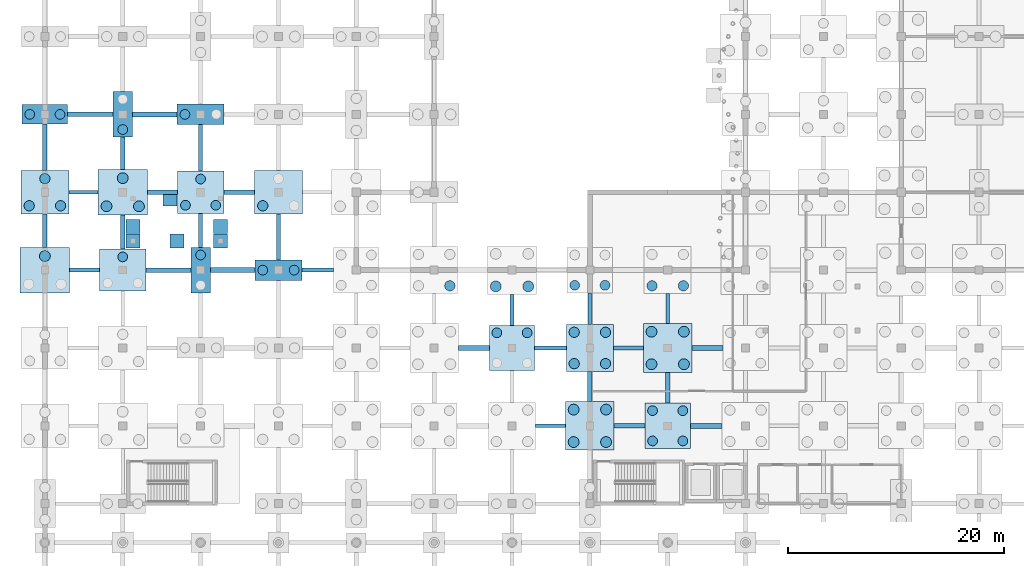
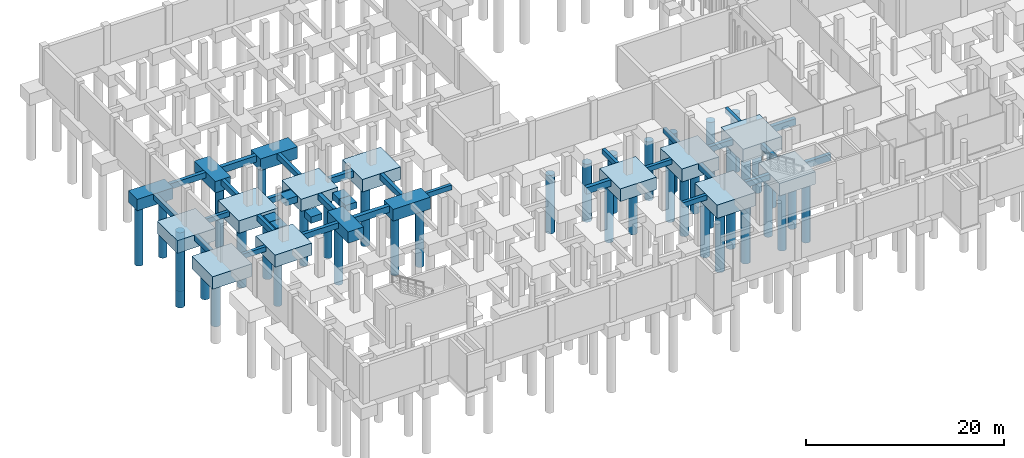
# One storey, part 3 of 35: 50 footings, 44 piles.
"""IFC4 building model written with IfcOpenShell, lengths in metres."""

from ifc_helpers import new_model, si_unit, direction, frame, origin, origin_2d, place, context, subcontext, project, spatial, rectangle, circle, extrude, material, material_profile, profile_set, type_object, element, save


model = new_model("IFC4")

# Units and contexts
model_context = context("Model", 3, precision=1e-05, world=origin(), true_north=direction((0.0, 1.0)))
body_context = subcontext(model_context, "Body", "Model", "MODEL_VIEW")
ifc_project = project(units=[si_unit("LENGTHUNIT", "METRE"), si_unit("AREAUNIT", "SQUARE_METRE"), si_unit("VOLUMEUNIT", "CUBIC_METRE"), si_unit("PLANEANGLEUNIT", "RADIAN"), si_unit("MASSUNIT", "GRAM", prefix="KILO"), si_unit("THERMODYNAMICTEMPERATUREUNIT", "KELVIN"), si_unit("POWERUNIT", "WATT")], contexts=[model_context])

# Site, building, storey
site_placement = place(None, origin())
site = spatial("IfcSite", under=ifc_project, at=site_placement, CompositionType="ELEMENT")
building_placement = place(site_placement, origin())
building = spatial("IfcBuilding", under=site, at=building_placement, Name="Kaldorven Railside Theatre", CompositionType="ELEMENT")
storey_placement = place(building_placement, frame((0.0, 0.0, -4.800048828125)))
storey = spatial("IfcBuildingStorey", under=building, at=storey_placement, Name="B1", CompositionType="ELEMENT", Elevation=-4.800048828125)

# Footings
ifc_material_1 = material(Name="Concrete C40/50", Category="concrete")
ifc_material_profile_1 = material_profile(ifc_material_1, rectangle(XDim=0.449951171875, YDim=0.800048828125, at=origin_2d()), Name="RC 450x800")
ifc_profile_set_1 = profile_set([ifc_material_profile_1], Name="Concrete C40/50")
footing_type_1 = type_object("IfcFootingType", Name="FTG-GB01", PredefinedType="FOOTING_BEAM", material=ifc_profile_set_1)
footing_1_placement = place(storey_placement, frame((67.699951171875, 26.39990234375, -0.39990234375), z_axis=(1.0, 0.0, 0.0), x_axis=(0.0, 1.0, 0.0)))
element("IfcFooting", 1, at=footing_1_placement, inside=storey, type_object=footing_type_1, Name="Foundation Tie Beam GB-099", PredefinedType="FOOTING_BEAM", context=body_context, shape_type="SweptSolid", body=[
    extrude(rectangle(XDim=0.449951171875, YDim=0.800048828125, at=origin_2d()), origin(), (0.0, 0.0, 1.0), 2.925048828125),
])
footing_2_placement = place(storey_placement, frame((46.25, 33.60009765625, -0.39990234375), z_axis=(1.0, 0.0, 0.0), x_axis=(0.0, 1.0, 0.0)))
element("IfcFooting", 2, at=footing_2_placement, inside=storey, type_object=footing_type_1, Name="Foundation Tie Beam GB-126", PredefinedType="FOOTING_BEAM", context=body_context, shape_type="SweptSolid", body=[
    extrude(rectangle(XDim=0.449951171875, YDim=0.800048828125, at=origin_2d()), origin(), (0.0, 0.0, 1.0), 2.85009765625),
])
footing_3_placement = place(storey_placement, frame((67.85009765625, 33.60009765625, -0.39990234375), z_axis=(1.0, 0.0, 0.0), x_axis=(0.0, 1.0, 0.0)))
element("IfcFooting", 3, at=footing_3_placement, inside=storey, type_object=footing_type_1, Name="Foundation Tie Beam GB-132", PredefinedType="FOOTING_BEAM", context=body_context, shape_type="SweptSolid", body=[
    extrude(rectangle(XDim=0.449951171875, YDim=0.800048828125, at=origin_2d()), origin(), (0.0, 0.0, 1.0), 2.849853515625),
])
footing_4_placement = place(storey_placement, frame((23.300048828125, 40.800048828125, -0.39990234375), z_axis=(1.0, 0.0, 0.0), x_axis=(0.0, 1.0, 0.0)))
element("IfcFooting", 4, at=footing_4_placement, inside=storey, type_object=footing_type_1, Name="Foundation Tie Beam GB-153", PredefinedType="FOOTING_BEAM", context=body_context, shape_type="SweptSolid", body=[
    extrude(rectangle(XDim=0.449951171875, YDim=0.800048828125, at=origin_2d()), origin(), (0.0, 0.0, 1.0), 4.125),
])
footing_5_placement = place(storey_placement, frame((24.550048828125, 48.0, -0.39990234375), z_axis=(1.0, 0.0, 0.0), x_axis=(0.0, 1.0, 0.0)))
element("IfcFooting", 5, at=footing_5_placement, inside=storey, type_object=footing_type_1, Name="Foundation Tie Beam GB-183", PredefinedType="FOOTING_BEAM", context=body_context, shape_type="SweptSolid", body=[
    extrude(rectangle(XDim=0.449951171875, YDim=0.800048828125, at=origin_2d()), origin(), (0.0, 0.0, 1.0), 2.824951171875),
])
footing_6_placement = place(storey_placement, frame((16.10009765625, 55.199951171875, -0.39990234375), z_axis=(1.0, 0.0, 0.0), x_axis=(0.0, 1.0, 0.0)))
element("IfcFooting", 6, at=footing_6_placement, inside=storey, type_object=footing_type_1, Name="Foundation Tie Beam GB-207", PredefinedType="FOOTING_BEAM", context=body_context, shape_type="SweptSolid", body=[
    extrude(rectangle(XDim=0.449951171875, YDim=0.800048828125, at=origin_2d()), origin(), (0.0, 0.0, 1.0), 4.125),
])
ifc_material_profile_2 = material_profile(ifc_material_1, rectangle(XDim=0.39990234375, YDim=0.699951171875, at=origin_2d()), Name="RC 400x700")
ifc_profile_set_2 = profile_set([ifc_material_profile_2], Name="Concrete C40/50")
footing_type_2 = type_object("IfcFootingType", Name="FTG-GB02", PredefinedType="FOOTING_BEAM", material=ifc_profile_set_2)
footing_7_placement = place(storey_placement, frame((60.64990234375, 26.39990234375, -0.349853515625), z_axis=(1.0, 0.0, 0.0), x_axis=(0.0, 1.0, 0.0)))
element("IfcFooting", 7, at=footing_7_placement, inside=storey, type_object=footing_type_2, Name="Foundation Tie Beam GB-097", PredefinedType="FOOTING_BEAM", context=body_context, shape_type="SweptSolid", body=[
    extrude(rectangle(XDim=0.39990234375, YDim=0.699951171875, at=origin_2d()), origin(), (0.0, 0.0, 1.0), 2.85009765625),
])
footing_8_placement = place(storey_placement, frame((58.39990234375, 28.64990234375, -0.349853515625), z_axis=(0.0, 1.0, 0.0), x_axis=(-1.0, 0.0, 0.0)))
element("IfcFooting", 8, at=footing_8_placement, inside=storey, type_object=footing_type_2, Name="Foundation Tie Beam GB-098", PredefinedType="FOOTING_BEAM", context=body_context, shape_type="SweptSolid", body=[
    extrude(rectangle(XDim=0.39990234375, YDim=0.699951171875, at=origin_2d()), origin(), (0.0, 0.0, 1.0), 2.775146484375),
])
footing_9_placement = place(storey_placement, frame((65.60009765625, 28.5, -0.349853515625), z_axis=(0.0, 1.0, 0.0), x_axis=(-1.0, 0.0, 0.0)))
element("IfcFooting", 9, at=footing_9_placement, inside=storey, type_object=footing_type_2, Name="Foundation Tie Beam GB-100", PredefinedType="FOOTING_BEAM", context=body_context, shape_type="SweptSolid", body=[
    extrude(rectangle(XDim=0.39990234375, YDim=0.699951171875, at=origin_2d()), origin(), (0.0, 0.0, 1.0), 2.85009765625),
])
footing_10_placement = place(storey_placement, frame((60.574951171875, 33.60009765625, -0.349853515625), z_axis=(1.0, 0.0, 0.0), x_axis=(0.0, 1.0, 0.0)))
element("IfcFooting", 10, at=footing_10_placement, inside=storey, type_object=footing_type_2, Name="Foundation Tie Beam GB-130", PredefinedType="FOOTING_BEAM", context=body_context, shape_type="SweptSolid", body=[
    extrude(rectangle(XDim=0.39990234375, YDim=0.699951171875, at=origin_2d()), origin(), (0.0, 0.0, 1.0), 2.775146484375),
])
footing_11_placement = place(storey_placement, frame((8.0, 42.89990234375, -0.349853515625), z_axis=(0.0, 1.0, 0.0), x_axis=(-1.0, 0.0, 0.0)))
element("IfcFooting", 11, at=footing_11_placement, inside=storey, type_object=footing_type_2, Name="Foundation Tie Beam GB-150", PredefinedType="FOOTING_BEAM", context=body_context, shape_type="SweptSolid", body=[
    extrude(rectangle(XDim=0.39990234375, YDim=0.699951171875, at=origin_2d()), origin(), (0.0, 0.0, 1.0), 3.0751953125),
])
footing_12_placement = place(storey_placement, frame((17.35009765625, 40.800048828125, -0.349853515625), z_axis=(1.0, 0.0, 0.0), x_axis=(0.0, 1.0, 0.0)))
element("IfcFooting", 12, at=footing_12_placement, inside=storey, type_object=footing_type_2, Name="Foundation Tie Beam GB-151", PredefinedType="FOOTING_BEAM", context=body_context, shape_type="SweptSolid", body=[
    extrude(rectangle(XDim=0.39990234375, YDim=0.699951171875, at=origin_2d()), origin(), (0.0, 0.0, 1.0), 4.14990234375),
])
footing_13_placement = place(storey_placement, frame((15.199951171875, 42.75, -0.349853515625), z_axis=(0.0, 1.0, 0.0), x_axis=(-1.0, 0.0, 0.0)))
element("IfcFooting", 13, at=footing_13_placement, inside=storey, type_object=footing_type_2, Name="Foundation Tie Beam GB-152", PredefinedType="FOOTING_BEAM", context=body_context, shape_type="SweptSolid", body=[
    extrude(rectangle(XDim=0.39990234375, YDim=0.699951171875, at=origin_2d()), origin(), (0.0, 0.0, 1.0), 3.14990234375),
])
footing_14_placement = place(storey_placement, frame((22.39990234375, 42.89990234375, -0.349853515625), z_axis=(0.0, 1.0, 0.0), x_axis=(-1.0, 0.0, 0.0)))
element("IfcFooting", 14, at=footing_14_placement, inside=storey, type_object=footing_type_2, Name="Foundation Tie Beam GB-154", PredefinedType="FOOTING_BEAM", context=body_context, shape_type="SweptSolid", body=[
    extrude(rectangle(XDim=0.39990234375, YDim=0.699951171875, at=origin_2d()), origin(), (0.0, 0.0, 1.0), 3.150146484375),
])
footing_15_placement = place(storey_placement, frame((29.60009765625, 41.75, -0.349853515625), z_axis=(0.0, 1.0, 0.0), x_axis=(-1.0, 0.0, 0.0)))
element("IfcFooting", 15, at=footing_15_placement, inside=storey, type_object=footing_type_2, Name="Foundation Tie Beam GB-156", PredefinedType="FOOTING_BEAM", context=body_context, shape_type="SweptSolid", body=[
    extrude(rectangle(XDim=0.39990234375, YDim=0.699951171875, at=origin_2d()), origin(), (0.0, 0.0, 1.0), 4.22509765625),
])
footing_16_placement = place(storey_placement, frame((8.0, 50.02490234375, -0.349853515625), z_axis=(0.0, 1.0, 0.0), x_axis=(-1.0, 0.0, 0.0)))
element("IfcFooting", 16, at=footing_16_placement, inside=storey, type_object=footing_type_2, Name="Foundation Tie Beam GB-180", PredefinedType="FOOTING_BEAM", context=body_context, shape_type="SweptSolid", body=[
    extrude(rectangle(XDim=0.39990234375, YDim=0.699951171875, at=origin_2d()), origin(), (0.0, 0.0, 1.0), 4.275146484375),
])
footing_17_placement = place(storey_placement, frame((17.5, 48.0, -0.349853515625), z_axis=(1.0, 0.0, 0.0), x_axis=(0.0, 1.0, 0.0)))
element("IfcFooting", 17, at=footing_17_placement, inside=storey, type_object=footing_type_2, Name="Foundation Tie Beam GB-181", PredefinedType="FOOTING_BEAM", context=body_context, shape_type="SweptSolid", body=[
    extrude(rectangle(XDim=0.39990234375, YDim=0.699951171875, at=origin_2d()), origin(), (0.0, 0.0, 1.0), 2.75),
])
footing_18_placement = place(storey_placement, frame((15.199951171875, 50.10009765625, -0.349853515625), z_axis=(0.0, 1.0, 0.0), x_axis=(-1.0, 0.0, 0.0)))
element("IfcFooting", 18, at=footing_18_placement, inside=storey, type_object=footing_type_2, Name="Foundation Tie Beam GB-182", PredefinedType="FOOTING_BEAM", context=body_context, shape_type="SweptSolid", body=[
    extrude(rectangle(XDim=0.39990234375, YDim=0.699951171875, at=origin_2d()), origin(), (0.0, 0.0, 1.0), 3.0),
])
footing_19_placement = place(storey_placement, frame((22.39990234375, 49.949951171875, -0.349853515625), z_axis=(0.0, 1.0, 0.0), x_axis=(-1.0, 0.0, 0.0)))
element("IfcFooting", 19, at=footing_19_placement, inside=storey, type_object=footing_type_2, Name="Foundation Tie Beam GB-184", PredefinedType="FOOTING_BEAM", context=body_context, shape_type="SweptSolid", body=[
    extrude(rectangle(XDim=0.39990234375, YDim=0.699951171875, at=origin_2d()), origin(), (0.0, 0.0, 1.0), 4.300048828125),
])
footing_20_placement = place(storey_placement, frame((10.10009765625, 55.199951171875, -0.349853515625), z_axis=(1.0, 0.0, 0.0), x_axis=(0.0, 1.0, 0.0)))
element("IfcFooting", 20, at=footing_20_placement, inside=storey, type_object=footing_type_2, Name="Foundation Tie Beam GB-205", PredefinedType="FOOTING_BEAM", context=body_context, shape_type="SweptSolid", body=[
    extrude(rectangle(XDim=0.39990234375, YDim=0.699951171875, at=origin_2d()), origin(), (0.0, 0.0, 1.0), 4.199951171875),
])
ifc_material_profile_3 = material_profile(ifc_material_1, rectangle(XDim=0.35009765625, YDim=0.60009765625, at=origin_2d()), Name="RC 350x600")
ifc_profile_set_3 = profile_set([ifc_material_profile_3], Name="Concrete C40/50")
footing_type_3 = type_object("IfcFootingType", Name="FTG-GB03", PredefinedType="FOOTING_BEAM", material=ifc_profile_set_3)
footing_21_placement = place(storey_placement, frame((53.375, 26.39990234375, -0.300048828125), z_axis=(1.0, 0.0, 0.0), x_axis=(0.0, 1.0, 0.0)))
element("IfcFooting", 21, at=footing_21_placement, inside=storey, type_object=footing_type_3, Name="Foundation Tie Beam GB-095", PredefinedType="FOOTING_BEAM", context=body_context, shape_type="SweptSolid", body=[
    extrude(rectangle(XDim=0.35009765625, YDim=0.60009765625, at=origin_2d()), origin(), (0.0, 0.0, 1.0), 2.77490234375),
])
footing_22_placement = place(storey_placement, frame((53.300048828125, 33.60009765625, -0.300048828125), z_axis=(1.0, 0.0, 0.0), x_axis=(0.0, 1.0, 0.0)))
element("IfcFooting", 22, at=footing_22_placement, inside=storey, type_object=footing_type_3, Name="Foundation Tie Beam GB-128", PredefinedType="FOOTING_BEAM", context=body_context, shape_type="SweptSolid", body=[
    extrude(rectangle(XDim=0.35009765625, YDim=0.60009765625, at=origin_2d()), origin(), (0.0, 0.0, 1.0), 2.925048828125),
])
footing_23_placement = place(storey_placement, frame((51.199951171875, 35.699951171875, -0.300048828125), z_axis=(0.0, 1.0, 0.0), x_axis=(-1.0, 0.0, 0.0)))
element("IfcFooting", 23, at=footing_23_placement, inside=storey, type_object=footing_type_3, Name="Foundation Tie Beam GB-129", PredefinedType="FOOTING_BEAM", context=body_context, shape_type="SweptSolid", body=[
    extrude(rectangle(XDim=0.35009765625, YDim=0.60009765625, at=origin_2d()), origin(), (0.0, 0.0, 1.0), 2.85009765625),
])
footing_24_placement = place(storey_placement, frame((58.39990234375, 35.77490234375, -0.300048828125), z_axis=(0.0, 1.0, 0.0), x_axis=(-1.0, 0.0, 0.0)))
element("IfcFooting", 24, at=footing_24_placement, inside=storey, type_object=footing_type_3, Name="Foundation Tie Beam GB-131", PredefinedType="FOOTING_BEAM", context=body_context, shape_type="SweptSolid", body=[
    extrude(rectangle(XDim=0.35009765625, YDim=0.60009765625, at=origin_2d()), origin(), (0.0, 0.0, 1.0), 2.925048828125),
])
footing_25_placement = place(storey_placement, frame((65.60009765625, 35.85009765625, -0.300048828125), z_axis=(0.0, 1.0, 0.0), x_axis=(-1.0, 0.0, 0.0)))
element("IfcFooting", 25, at=footing_25_placement, inside=storey, type_object=footing_type_3, Name="Foundation Tie Beam GB-133", PredefinedType="FOOTING_BEAM", context=body_context, shape_type="SweptSolid", body=[
    extrude(rectangle(XDim=0.35009765625, YDim=0.60009765625, at=origin_2d()), origin(), (0.0, 0.0, 1.0), 2.77490234375),
])
footing_26_placement = place(storey_placement, frame((10.300048828125, 40.800048828125, -0.300048828125), z_axis=(1.0, 0.0, 0.0), x_axis=(0.0, 1.0, 0.0)))
element("IfcFooting", 26, at=footing_26_placement, inside=storey, type_object=footing_type_3, Name="Foundation Tie Beam GB-149", PredefinedType="FOOTING_BEAM", context=body_context, shape_type="SweptSolid", body=[
    extrude(rectangle(XDim=0.35009765625, YDim=0.60009765625, at=origin_2d()), origin(), (0.0, 0.0, 1.0), 2.75),
])
footing_27_placement = place(storey_placement, frame((31.77490234375, 40.800048828125, -0.300048828125), z_axis=(1.0, 0.0, 0.0), x_axis=(0.0, 1.0, 0.0)))
element("IfcFooting", 27, at=footing_27_placement, inside=storey, type_object=footing_type_3, Name="Foundation Tie Beam GB-155", PredefinedType="FOOTING_BEAM", context=body_context, shape_type="SweptSolid", body=[
    extrude(rectangle(XDim=0.35009765625, YDim=0.60009765625, at=origin_2d()), origin(), (0.0, 0.0, 1.0), 2.925048828125),
])
footing_28_placement = place(storey_placement, frame((10.22509765625, 48.0, -0.300048828125), z_axis=(1.0, 0.0, 0.0), x_axis=(0.0, 1.0, 0.0)))
element("IfcFooting", 28, at=footing_28_placement, inside=storey, type_object=footing_type_3, Name="Foundation Tie Beam GB-179", PredefinedType="FOOTING_BEAM", context=body_context, shape_type="SweptSolid", body=[
    extrude(rectangle(XDim=0.35009765625, YDim=0.60009765625, at=origin_2d()), origin(), (0.0, 0.0, 1.0), 2.6748046875),
])
footing_type_4 = type_object("IfcFootingType", Name="FTG-PC03", PredefinedType="PILE_CAP", material=ifc_material_1)
footing_29_placement = place(storey_placement, frame((8.0, 55.199951171875, -1.39990234375), z_axis=(0.0, 0.0, 1.0), x_axis=(1.0, 0.0, 0.0)))
element("IfcFooting", 29, at=footing_29_placement, inside=storey, type_object=footing_type_4, Name="Reinforced Concrete Pile Cap FC-114", PredefinedType="PILE_CAP", context=body_context, shape_type="SweptSolid", body=[
    extrude(rectangle(XDim=4.199951171875, YDim=1.800048828125, at=origin_2d()), origin(), (0.0, 0.0, 1.0), 1.39990234375),
])
footing_type_5 = type_object("IfcFootingType", Name="FTG-PC04", PredefinedType="PILE_CAP", material=ifc_material_1)
for number, where, z_axis, x_axis, name in (
    (30, (22.39990234375, 40.800048828125, -1.39990234375), (0.0, 0.0, 1.0), (1.0, 0.0, 0.0), "Reinforced Concrete Pile Cap FC-085"),
    (31, (15.199951171875, 55.199951171875, -1.39990234375), (0.0, 0.0, 1.0), (1.0, 0.0, 0.0), "Reinforced Concrete Pile Cap FC-115"),
):
    element("IfcFooting", number, at=place(storey_placement, frame(where, z_axis=z_axis, x_axis=x_axis)), inside=storey, type_object=footing_type_5, Name=name, PredefinedType="PILE_CAP", context=body_context, shape_type="SweptSolid", body=[
        extrude(rectangle(XDim=1.800048828125, YDim=4.199951171875, at=origin_2d()), origin(), (0.0, 0.0, 1.0), 1.39990234375),
    ])
footing_type_6 = type_object("IfcFootingType", Name="FTG-PC05", PredefinedType="PILE_CAP", material=ifc_material_1)
for number, where, z_axis, x_axis, name in (
    (32, (29.60009765625, 40.800048828125, -1.44970703125), (0.0, 0.0, 1.0), (1.0, 0.0, 0.0), "Reinforced Concrete Pile Cap FC-086"),
    (33, (22.39990234375, 55.199951171875, -1.44970703125), (0.0, 0.0, 1.0), (1.0, 0.0, 0.0), "Reinforced Concrete Pile Cap FC-116"),
):
    element("IfcFooting", number, at=place(storey_placement, frame(where, z_axis=z_axis, x_axis=x_axis)), inside=storey, type_object=footing_type_6, Name=name, PredefinedType="PILE_CAP", context=body_context, shape_type="SweptSolid", body=[
        extrude(rectangle(XDim=4.35009765625, YDim=1.89990234375, at=origin_2d()), origin(), (0.0, 0.0, 1.0), 1.449951171875),
    ])
footing_type_7 = type_object("IfcFootingType", Name="FTG-PC09", PredefinedType="PILE_CAP", material=ifc_material_1)
for number, where, z_axis, x_axis, name in (
    (34, (15.199951171875, 40.800048828125, -1.5), (0.0, 0.0, 1.0), (1.0, 0.0, 0.0), "Reinforced Concrete Pile Cap FC-084"),
    (35, (22.39990234375, 48.0, -1.5), (0.0, 0.0, 1.0), (1.0, 0.0, 0.0), "Reinforced Concrete Pile Cap FC-102"),
):
    element("IfcFooting", number, at=place(storey_placement, frame(where, z_axis=z_axis, x_axis=x_axis)), inside=storey, type_object=footing_type_7, Name=name, PredefinedType="PILE_CAP", context=body_context, shape_type="SweptSolid", body=[
        extrude(rectangle(XDim=4.300048828125, YDim=3.89990234375, at=origin_2d()), origin(), (0.0, 0.0, 1.0), 1.5),
    ])
footing_type_8 = type_object("IfcFootingType", Name="FTG-PC10", PredefinedType="PILE_CAP", material=ifc_material_1)
for number, where, z_axis, x_axis, name in (
    (36, (8.0, 48.0, -1.5498046875), (0.0, 0.0, 1.0), (1.0, 0.0, 0.0), "Reinforced Concrete Pile Cap FC-100"),
    (37, (29.60009765625, 48.0, -1.5498046875), (0.0, 0.0, 1.0), (1.0, 0.0, 0.0), "Reinforced Concrete Pile Cap FC-103"),
):
    element("IfcFooting", number, at=place(storey_placement, frame(where, z_axis=z_axis, x_axis=x_axis)), inside=storey, type_object=footing_type_8, Name=name, PredefinedType="PILE_CAP", context=body_context, shape_type="SweptSolid", body=[
        extrude(rectangle(XDim=4.449951171875, YDim=4.050048828125, at=origin_2d()), origin(), (0.0, 0.0, 1.0), 1.550048828125),
    ])
footing_type_9 = type_object("IfcFootingType", Name="FTG-PC11", PredefinedType="PILE_CAP", material=ifc_material_1)
for number, where, z_axis, x_axis, name in (
    (38, (8.0, 40.800048828125, -1.5498046875), (0.0, 0.0, 1.0), (1.0, 0.0, 0.0), "Reinforced Concrete Pile Cap FC-083"),
    (39, (15.199951171875, 48.0, -1.5498046875), (0.0, 0.0, 1.0), (1.0, 0.0, 0.0), "Reinforced Concrete Pile Cap FC-101"),
):
    element("IfcFooting", number, at=place(storey_placement, frame(where, z_axis=z_axis, x_axis=x_axis)), inside=storey, type_object=footing_type_9, Name=name, PredefinedType="PILE_CAP", context=body_context, shape_type="SweptSolid", body=[
        extrude(rectangle(XDim=4.60009765625, YDim=4.199951171875, at=origin_2d()), origin(), (0.0, 0.0, 1.0), 1.550048828125),
    ])
footing_type_10 = type_object("IfcFootingType", Name="FTG-PC12", PredefinedType="PILE_CAP", material=ifc_material_1)
for number, where, z_axis, x_axis, name in (
    (40, (65.60009765625, 26.39990234375, -1.5498046875), (0.0, 0.0, 1.0), (1.0, 0.0, 0.0), "Reinforced Concrete Pile Cap FC-057"),
    (41, (51.199951171875, 33.60009765625, -1.5498046875), (0.0, 0.0, 1.0), (1.0, 0.0, 0.0), "Reinforced Concrete Pile Cap FC-072"),
):
    element("IfcFooting", number, at=place(storey_placement, frame(where, z_axis=z_axis, x_axis=x_axis)), inside=storey, type_object=footing_type_10, Name=name, PredefinedType="PILE_CAP", context=body_context, shape_type="SweptSolid", body=[
        extrude(rectangle(XDim=4.199951171875, YDim=4.199951171875, at=origin_2d()), origin(), (0.0, 0.0, 1.0), 1.550048828125),
    ])
footing_type_11 = type_object("IfcFootingType", Name="FTG-PC13", PredefinedType="PILE_CAP", material=ifc_material_1)
footing_30_placement = place(storey_placement, frame((58.39990234375, 33.60009765625, -1.60009765625), z_axis=(0.0, 0.0, 1.0), x_axis=(1.0, 0.0, 0.0)))
element("IfcFooting", 42, at=footing_30_placement, inside=storey, type_object=footing_type_11, Name="Reinforced Concrete Pile Cap FC-073", PredefinedType="PILE_CAP", context=body_context, shape_type="SweptSolid", body=[
    extrude(rectangle(XDim=4.35009765625, YDim=4.35009765625, at=origin_2d()), origin(), (0.0, 0.0, 1.0), 1.60009765625),
])
footing_type_12 = type_object("IfcFootingType", Name="FTG-PC14", PredefinedType="PILE_CAP", material=ifc_material_1)
for number, where, z_axis, x_axis, name in (
    (43, (58.39990234375, 26.39990234375, -1.64990234375), (0.0, 0.0, 1.0), (1.0, 0.0, 0.0), "Reinforced Concrete Pile Cap FC-056"),
    (44, (65.60009765625, 33.60009765625, -1.64990234375), (0.0, 0.0, 1.0), (1.0, 0.0, 0.0), "Reinforced Concrete Pile Cap FC-074"),
):
    element("IfcFooting", number, at=place(storey_placement, frame(where, z_axis=z_axis, x_axis=x_axis)), inside=storey, type_object=footing_type_12, Name=name, PredefinedType="PILE_CAP", context=body_context, shape_type="SweptSolid", body=[
        extrude(rectangle(XDim=4.5, YDim=4.5, at=origin_2d()), origin(), (0.0, 0.0, 1.0), 1.64990234375),
    ])
footing_type_13 = type_object("IfcFootingType", Name="FTG-SF01", PredefinedType="PAD_FOOTING", material=ifc_material_1)
for number, where, z_axis, x_axis, name in (
    (45, (16.14990234375, 43.5, -0.7998046875), (0.0, 0.0, 1.0), (1.0, 0.0, 0.0), "Core ST-02 Foundation Pad SF-002"),
    (46, (24.25, 43.5, -0.7998046875), (0.0, 0.0, 1.0), (1.0, 0.0, 0.0), "Core ST-02 Foundation Pad SF-003"),
    (47, (20.199951171875, 43.5, -0.7998046875), (0.0, 0.0, 1.0), (1.0, 0.0, 0.0), "Core ST-02 Foundation Pad SF-004"),
    (48, (19.570068359375, 47.39990234375, -0.7998046875), (0.0, 0.0, 1.0), (1.0, 0.0, 0.0), "Core ST-02 Foundation Pad SF-005"),
    (49, (16.14990234375, 44.820068359375, -0.7998046875), (0.0, 0.0, 1.0), (1.0, 0.0, 0.0), "Core ST-02 Foundation Pad SF-006"),
    (50, (24.25, 44.820068359375, -0.7998046875), (0.0, 0.0, 1.0), (1.0, 0.0, 0.0), "Core ST-02 Foundation Pad SF-007"),
):
    element("IfcFooting", number, at=place(storey_placement, frame(where, z_axis=z_axis, x_axis=x_axis)), inside=storey, type_object=footing_type_13, Name=name, PredefinedType="PAD_FOOTING", context=body_context, shape_type="SweptSolid", body=[
        extrude(rectangle(XDim=1.300048828125, YDim=1.300048828125, at=origin_2d()), origin(), (0.0, 0.0, 1.0), 0.800048828125),
    ])

# Piles
ifc_material_2 = material(Name="Concrete C35/45", Category="concrete")
ifc_material_profile_4 = material_profile(ifc_material_2, circle(Radius=0.5, at=origin_2d()), Name="BP D1000")
ifc_profile_set_4 = profile_set([ifc_material_profile_4], Name="Concrete C35/45")
pile_type_1 = type_object("IfcPileType", Name="PIL-D1000", PredefinedType="BORED", material=ifc_profile_set_4)
for number, where, z_axis, x_axis, name in (
    (51, (56.89990234375, 24.89990234375, -1.550048828125), (0.0, 0.0, -1.0), (1.0, 0.0, 0.0), "Bored Bedrock Socket Pile BP-058-026-1"),
    (52, (59.89990234375, 24.89990234375, -1.550048828125), (0.0, 0.0, -1.0), (1.0, 0.0, 0.0), "Bored Bedrock Socket Pile BP-058-026-2"),
    (53, (56.89990234375, 27.89990234375, -1.550048828125), (0.0, 0.0, -1.0), (1.0, 0.0, 0.0), "Bored Bedrock Socket Pile BP-058-026-3"),
    (54, (59.89990234375, 27.89990234375, -1.550048828125), (0.0, 0.0, -1.0), (1.0, 0.0, 0.0), "Bored Bedrock Socket Pile BP-058-026-4"),
    (55, (64.10009765625, 32.10009765625, -1.550048828125), (0.0, 0.0, -1.0), (1.0, 0.0, 0.0), "Bored Bedrock Socket Pile BP-065-033-1"),
    (56, (67.10009765625, 32.10009765625, -1.550048828125), (0.0, 0.0, -1.0), (1.0, 0.0, 0.0), "Bored Bedrock Socket Pile BP-065-033-2"),
    (57, (64.10009765625, 35.10009765625, -1.550048828125), (0.0, 0.0, -1.0), (1.0, 0.0, 0.0), "Bored Bedrock Socket Pile BP-065-033-3"),
    (58, (67.10009765625, 35.10009765625, -1.550048828125), (0.0, 0.0, -1.0), (1.0, 0.0, 0.0), "Bored Bedrock Socket Pile BP-065-033-4"),
):
    element("IfcPile", number, at=place(storey_placement, frame(where, z_axis=z_axis, x_axis=x_axis)), inside=storey, type_object=pile_type_1, Name=name, PredefinedType="BORED", context=body_context, shape_type="SweptSolid", body=[
        extrude(circle(Radius=0.5, at=origin_2d()), origin(), (0.0, 0.0, 1.0), 7.14990234375),
    ])
pile_1_placement = place(storey_placement, frame((8.0, 42.10009765625, -1.449951171875), z_axis=(0.0, 0.0, -1.0), x_axis=(1.0, 0.0, 0.0)))
element("IfcPile", 59, at=pile_1_placement, inside=storey, type_object=pile_type_1, Name="Bored Bedrock Socket Pile BP-008-040-3", PredefinedType="BORED", context=body_context, shape_type="SweptSolid", body=[
    extrude(circle(Radius=0.5, at=origin_2d()), origin(), (0.0, 0.0, 1.0), 7.25),
])
for number, where, z_axis, x_axis, name in (
    (60, (49.699951171875, 39.300048828125, -1.550048828125), (0.0, 0.0, -1.0), (1.0, 0.0, 0.0), "Bored Bedrock Socket Pile BP-051-040-1"),
    (61, (52.699951171875, 39.300048828125, -1.550048828125), (0.0, 0.0, -1.0), (1.0, 0.0, 0.0), "Bored Bedrock Socket Pile BP-051-040-2"),
):
    element("IfcPile", number, at=place(storey_placement, frame(where, z_axis=z_axis, x_axis=x_axis)), inside=storey, type_object=pile_type_1, Name=name, PredefinedType="BORED", context=body_context, shape_type="SweptSolid", body=[
        extrude(circle(Radius=0.5, at=origin_2d()), origin(), (0.0, 0.0, 1.0), 7.14990234375),
    ])
for number, where, z_axis, x_axis, name in (
    (62, (13.699951171875, 46.699951171875, -1.449951171875), (0.0, 0.0, -1.0), (1.0, 0.0, 0.0), "Bored Bedrock Socket Pile BP-015-048-1"),
    (63, (16.699951171875, 46.699951171875, -1.449951171875), (0.0, 0.0, -1.0), (1.0, 0.0, 0.0), "Bored Bedrock Socket Pile BP-015-048-2"),
    (64, (15.199951171875, 49.300048828125, -1.449951171875), (0.0, 0.0, -1.0), (1.0, 0.0, 0.0), "Bored Bedrock Socket Pile BP-015-048-3"),
):
    element("IfcPile", number, at=place(storey_placement, frame(where, z_axis=z_axis, x_axis=x_axis)), inside=storey, type_object=pile_type_1, Name=name, PredefinedType="BORED", context=body_context, shape_type="SweptSolid", body=[
        extrude(circle(Radius=0.5, at=origin_2d()), origin(), (0.0, 0.0, 1.0), 7.25),
    ])
ifc_material_profile_5 = material_profile(ifc_material_2, circle(Radius=0.449951171875, at=origin_2d()), Name="BP D900")
ifc_profile_set_5 = profile_set([ifc_material_profile_5], Name="Concrete C35/45")
pile_type_2 = type_object("IfcPileType", Name="PIL-D900", PredefinedType="BORED", material=ifc_profile_set_5)
for number, where, z_axis, x_axis, name in (
    (65, (64.199951171875, 25.0, -1.449951171875), (0.0, 0.0, -1.0), (1.0, 0.0, 0.0), "Bored Bedrock Socket Pile BP-065-026-1"),
    (66, (67.0, 25.0, -1.449951171875), (0.0, 0.0, -1.0), (1.0, 0.0, 0.0), "Bored Bedrock Socket Pile BP-065-026-2"),
    (67, (64.199951171875, 27.800048828125, -1.449951171875), (0.0, 0.0, -1.0), (1.0, 0.0, 0.0), "Bored Bedrock Socket Pile BP-065-026-3"),
    (68, (67.0, 27.800048828125, -1.449951171875), (0.0, 0.0, -1.0), (1.0, 0.0, 0.0), "Bored Bedrock Socket Pile BP-065-026-4"),
    (69, (49.800048828125, 35.0, -1.449951171875), (0.0, 0.0, -1.0), (1.0, 0.0, 0.0), "Bored Bedrock Socket Pile BP-051-033-3"),
    (70, (52.60009765625, 35.0, -1.449951171875), (0.0, 0.0, -1.0), (1.0, 0.0, 0.0), "Bored Bedrock Socket Pile BP-051-033-4"),
):
    element("IfcPile", number, at=place(storey_placement, frame(where, z_axis=z_axis, x_axis=x_axis)), inside=storey, type_object=pile_type_2, Name=name, PredefinedType="BORED", context=body_context, shape_type="SweptSolid", body=[
        extrude(circle(Radius=0.449951171875, at=origin_2d()), origin(), (0.0, 0.0, 1.0), 7.25),
    ])
pile_2_placement = place(storey_placement, frame((15.199951171875, 42.02001953125, -1.39990234375), z_axis=(0.0, 0.0, -1.0), x_axis=(1.0, 0.0, 0.0)))
element("IfcPile", 71, at=pile_2_placement, inside=storey, type_object=pile_type_2, Name="Bored Bedrock Socket Pile BP-015-040-3", PredefinedType="BORED", context=body_context, shape_type="SweptSolid", body=[
    extrude(circle(Radius=0.449951171875, at=origin_2d()), origin(), (0.0, 0.0, 1.0), 7.300048828125),
])
pile_3_placement = place(storey_placement, frame((22.39990234375, 42.199951171875, -1.300048828125), z_axis=(0.0, 0.0, -1.0), x_axis=(1.0, 0.0, 0.0)))
element("IfcPile", 72, at=pile_3_placement, inside=storey, type_object=pile_type_2, Name="Bored Bedrock Socket Pile BP-022-040-2", PredefinedType="BORED", context=body_context, shape_type="SweptSolid", body=[
    extrude(circle(Radius=0.449951171875, at=origin_2d()), origin(), (0.0, 0.0, 1.0), 7.39990234375),
])
for number, where, z_axis, x_axis, name in (
    (73, (28.14990234375, 40.800048828125, -1.349853515625), (0.0, 0.0, -1.0), (1.0, 0.0, 0.0), "Bored Bedrock Socket Pile BP-029-040-1"),
    (74, (31.050048828125, 40.800048828125, -1.349853515625), (0.0, 0.0, -1.0), (1.0, 0.0, 0.0), "Bored Bedrock Socket Pile BP-029-040-2"),
):
    element("IfcPile", number, at=place(storey_placement, frame(where, z_axis=z_axis, x_axis=x_axis)), inside=storey, type_object=pile_type_2, Name=name, PredefinedType="BORED", context=body_context, shape_type="SweptSolid", body=[
        extrude(circle(Radius=0.449951171875, at=origin_2d()), origin(), (0.0, 0.0, 1.0), 7.35009765625),
    ])
for number, where, z_axis, x_axis, name in (
    (75, (57.0, 39.39990234375, -1.449951171875), (0.0, 0.0, -1.0), (1.0, 0.0, 0.0), "Bored Bedrock Socket Pile BP-058-040-1"),
    (76, (59.800048828125, 39.39990234375, -1.449951171875), (0.0, 0.0, -1.0), (1.0, 0.0, 0.0), "Bored Bedrock Socket Pile BP-058-040-2"),
):
    element("IfcPile", number, at=place(storey_placement, frame(where, z_axis=z_axis, x_axis=x_axis)), inside=storey, type_object=pile_type_2, Name=name, PredefinedType="BORED", context=body_context, shape_type="SweptSolid", body=[
        extrude(circle(Radius=0.449951171875, at=origin_2d()), origin(), (0.0, 0.0, 1.0), 7.25),
    ])
for number, where, z_axis, x_axis, name in (
    (77, (21.0, 46.800048828125, -1.39990234375), (0.0, 0.0, -1.0), (1.0, 0.0, 0.0), "Bored Bedrock Socket Pile BP-022-048-1"),
    (78, (23.800048828125, 46.800048828125, -1.39990234375), (0.0, 0.0, -1.0), (1.0, 0.0, 0.0), "Bored Bedrock Socket Pile BP-022-048-2"),
    (79, (22.39990234375, 49.219970703125, -1.39990234375), (0.0, 0.0, -1.0), (1.0, 0.0, 0.0), "Bored Bedrock Socket Pile BP-022-048-3"),
):
    element("IfcPile", number, at=place(storey_placement, frame(where, z_axis=z_axis, x_axis=x_axis)), inside=storey, type_object=pile_type_2, Name=name, PredefinedType="BORED", context=body_context, shape_type="SweptSolid", body=[
        extrude(circle(Radius=0.449951171875, at=origin_2d()), origin(), (0.0, 0.0, 1.0), 7.300048828125),
    ])
for number, where, z_axis, x_axis, name in (
    (80, (6.60009765625, 55.199951171875, -1.300048828125), (0.0, 0.0, -1.0), (1.0, 0.0, 0.0), "Bored Bedrock Socket Pile BP-008-055-1"),
    (81, (9.39990234375, 55.199951171875, -1.300048828125), (0.0, 0.0, -1.0), (1.0, 0.0, 0.0), "Bored Bedrock Socket Pile BP-008-055-2"),
    (82, (15.199951171875, 53.800048828125, -1.300048828125), (0.0, 0.0, -1.0), (1.0, 0.0, 0.0), "Bored Bedrock Socket Pile BP-015-055-1"),
):
    element("IfcPile", number, at=place(storey_placement, frame(where, z_axis=z_axis, x_axis=x_axis)), inside=storey, type_object=pile_type_2, Name=name, PredefinedType="BORED", context=body_context, shape_type="SweptSolid", body=[
        extrude(circle(Radius=0.449951171875, at=origin_2d()), origin(), (0.0, 0.0, 1.0), 7.39990234375),
    ])
pile_4_placement = place(storey_placement, frame((20.949951171875, 55.199951171875, -1.349853515625), z_axis=(0.0, 0.0, -1.0), x_axis=(1.0, 0.0, 0.0)))
element("IfcPile", 83, at=pile_4_placement, inside=storey, type_object=pile_type_2, Name="Bored Bedrock Socket Pile BP-022-055-1", PredefinedType="BORED", context=body_context, shape_type="SweptSolid", body=[
    extrude(circle(Radius=0.449951171875, at=origin_2d()), origin(), (0.0, 0.0, 1.0), 7.35009765625),
])
ifc_material_profile_6 = material_profile(ifc_material_2, circle(Radius=0.47509765625, at=origin_2d()), Name="BP D950")
ifc_profile_set_6 = profile_set([ifc_material_profile_6], Name="Concrete C35/45")
pile_type_3 = type_object("IfcPileType", Name="PIL-D950", PredefinedType="BORED", material=ifc_profile_set_6)
for number, where, z_axis, x_axis, name in (
    (84, (56.949951171875, 32.14990234375, -1.5), (0.0, 0.0, -1.0), (1.0, 0.0, 0.0), "Bored Bedrock Socket Pile BP-058-033-1"),
    (85, (59.85009765625, 32.14990234375, -1.5), (0.0, 0.0, -1.0), (1.0, 0.0, 0.0), "Bored Bedrock Socket Pile BP-058-033-2"),
    (86, (56.949951171875, 35.050048828125, -1.5), (0.0, 0.0, -1.0), (1.0, 0.0, 0.0), "Bored Bedrock Socket Pile BP-058-033-3"),
    (87, (59.85009765625, 35.050048828125, -1.5), (0.0, 0.0, -1.0), (1.0, 0.0, 0.0), "Bored Bedrock Socket Pile BP-058-033-4"),
    (88, (45.449951171875, 39.35009765625, -1.5), (0.0, 0.0, -1.0), (1.0, 0.0, 0.0), "Bored Bedrock Socket Pile BP-044-040-2"),
    (89, (64.14990234375, 39.35009765625, -1.5), (0.0, 0.0, -1.0), (1.0, 0.0, 0.0), "Bored Bedrock Socket Pile BP-065-040-1"),
    (90, (67.050048828125, 39.35009765625, -1.5), (0.0, 0.0, -1.0), (1.0, 0.0, 0.0), "Bored Bedrock Socket Pile BP-065-040-2"),
):
    element("IfcPile", number, at=place(storey_placement, frame(where, z_axis=z_axis, x_axis=x_axis)), inside=storey, type_object=pile_type_3, Name=name, PredefinedType="BORED", context=body_context, shape_type="SweptSolid", body=[
        extrude(circle(Radius=0.47509765625, at=origin_2d()), origin(), (0.0, 0.0, 1.0), 7.199951171875),
    ])
for number, where, z_axis, x_axis, name in (
    (91, (6.550048828125, 46.75, -1.449951171875), (0.0, 0.0, -1.0), (1.0, 0.0, 0.0), "Bored Bedrock Socket Pile BP-008-048-1"),
    (92, (9.449951171875, 46.75, -1.449951171875), (0.0, 0.0, -1.0), (1.0, 0.0, 0.0), "Bored Bedrock Socket Pile BP-008-048-2"),
    (93, (8.0, 49.260009765625, -1.449951171875), (0.0, 0.0, -1.0), (1.0, 0.0, 0.0), "Bored Bedrock Socket Pile BP-008-048-3"),
    (94, (28.14990234375, 46.75, -1.449951171875), (0.0, 0.0, -1.0), (1.0, 0.0, 0.0), "Bored Bedrock Socket Pile BP-029-048-1"),
):
    element("IfcPile", number, at=place(storey_placement, frame(where, z_axis=z_axis, x_axis=x_axis)), inside=storey, type_object=pile_type_3, Name=name, PredefinedType="BORED", context=body_context, shape_type="SweptSolid", body=[
        extrude(circle(Radius=0.47509765625, at=origin_2d()), origin(), (0.0, 0.0, 1.0), 7.25),
    ])

save(model, "model.ifc")
